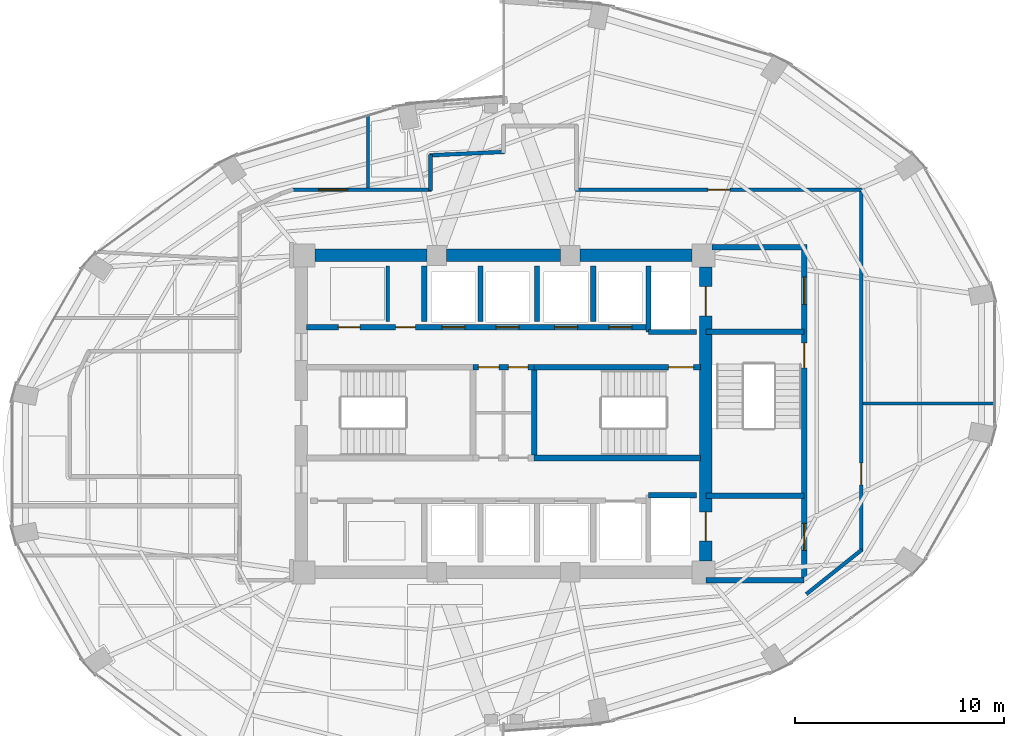
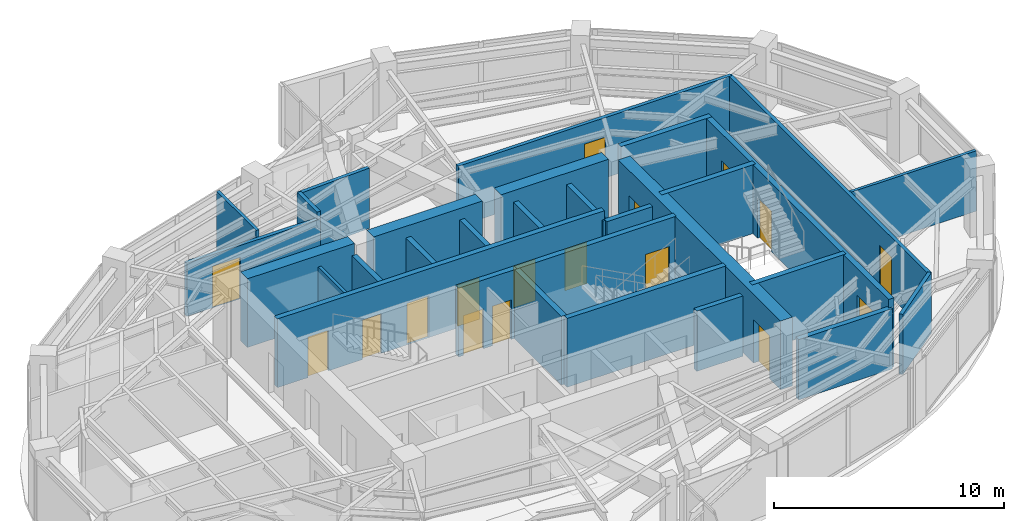
# One storey, part 17 of 20: 30 walls, 17 doors, 17 openings.
"""IFC4 building model written with IfcOpenShell, lengths in metres."""

from ifc_helpers import new_model, si_unit, direction, frame, frame_2d, origin, place, context, subcontext, project, spatial, rectangle, extrude, material, layer, layer_set, type_object, element, fill, save


model = new_model("IFC4")

# Units and contexts
model_context = context("Model", 3, precision=1e-05, world=origin(), true_north=direction((0.0, 1.0)))
body_context = subcontext(model_context, "Body", "Model", "MODEL_VIEW")
ifc_project = project(units=[si_unit("LENGTHUNIT", "METRE"), si_unit("AREAUNIT", "SQUARE_METRE"), si_unit("VOLUMEUNIT", "CUBIC_METRE"), si_unit("PLANEANGLEUNIT", "RADIAN"), si_unit("MASSUNIT", "GRAM", prefix="KILO")], contexts=[model_context])

# Site, building, storey
site_placement = place(None, origin())
site = spatial("IfcSite", under=ifc_project, at=site_placement, CompositionType="ELEMENT")
building_placement = place(site_placement, origin())
building = spatial("IfcBuilding", under=site, at=building_placement, Name="Lazwardi Medical Tower", CompositionType="ELEMENT")
storey_placement = place(building_placement, frame((0.0, 0.0, 185.7119140625)))
storey = spatial("IfcBuildingStorey", under=building, at=storey_placement, Name="L48", CompositionType="ELEMENT", Elevation=185.7119140625)

# Wall, opening, door
ifc_material_1 = material(Name="Fire-rated gypsum board on steel stud", Category="steel")
ifc_layer_1 = layer(ifc_material_1, 0.179931640625)
ifc_layer_set_1 = layer_set([ifc_layer_1], Name="Fire-rated gypsum board on steel stud")
wall_type_1 = type_object("IfcWallType", Name="WL-COR-180", PredefinedType="PARTITIONING", material=ifc_layer_set_1)
wall_1_placement = place(storey_placement, frame((25.842529296875, 38.75, 0.0), z_axis=(0.0, 0.0, 1.0), x_axis=(1.0, 0.0, 0.0)))
wall_1 = element("IfcWall", 1, at=wall_1_placement, inside=storey, type_object=wall_type_1, Name="L48 Corridor partition 6", PredefinedType="PARTITIONING", context=body_context, shape_type="SweptSolid", body=[
    extrude(rectangle(XDim=6.697509765625, YDim=0.179931640625, at=frame_2d((3.3486328125, 0.0))), origin(), (0.0, 0.0, 1.0), 2.822998046875),
])
opening_1_placement = place(wall_1_placement, frame((1.28759765625, 0.0, 0.0)))
opening_1 = element("IfcOpeningElement", 2, at=opening_1_placement, cuts=wall_1, Name="Opening D-L48-016", PredefinedType="OPENING", context=body_context, shape_type="SweptSolid", body=[
    extrude(rectangle(XDim=1.39990234375, YDim=2.199951171875, at=frame_2d((0.699951171875, 1.10009765625))), frame((0.0, 0.099853515625, 0.0), z_axis=(0.0, -1.0, 0.0), x_axis=(1.0, 0.0, 0.0)), (0.0, 0.0, 1.0), 0.199951171875),
])
ifc_material_2 = material(Name="Anti-microbial laminate hospital leaf")
door_type_1 = type_object("IfcDoorType", Name="DR-BED-1400", OperationType="NOTDEFINED", PredefinedType="DOOR", material=ifc_material_2)
door_1_placement = place(opening_1_placement, origin())
door_1 = element("IfcDoor", 3, at=door_1_placement, inside=storey, type_object=door_type_1, Name="L48 Rehabilitation Gymnasium Door 04", OperationType="SINGLE_SWING_RIGHT", OverallHeight=2.199951171875, OverallWidth=1.39990234375, PredefinedType="DOOR", context=body_context, shape_type="SweptSolid", body=[
    extrude(rectangle(XDim=1.39990234375, YDim=2.199951171875, at=frame_2d((0.699951171875, 1.10009765625))), frame((0.0, 0.02490234375, 0.0), z_axis=(0.0, -1.0, 0.0), x_axis=(1.0, 0.0, 0.0)), (0.0, 0.0, 1.0), 0.050048828125),
])
fill(opening_1, door_1)

# Walls
wall_2_placement = place(storey_placement, frame((32.5, 38.7099609375, 0.0), z_axis=(0.0, 0.0, 1.0), x_axis=(0.0, 1.0, 0.0)))
element("IfcWall", 4, at=wall_2_placement, inside=storey, type_object=wall_type_1, Name="L48 Corridor partition 7", PredefinedType="PARTITIONING", context=body_context, shape_type="SweptSolid", body=[
    extrude(rectangle(XDim=1.729248046875, YDim=0.179931640625, at=frame_2d((0.86474609375, 0.0))), origin(), (0.0, 0.0, 1.0), 3.197998046875),
])
wall_3_placement = place(storey_placement, frame((32.4599609375, 40.3974609375, 0.0), z_axis=(0.0, 0.0, 1.0), x_axis=(0.998948498694, 0.045846449783, 0.0)))
element("IfcWall", 5, at=wall_3_placement, inside=storey, type_object=wall_type_1, Name="L48 Corridor partition 8", PredefinedType="PARTITIONING", context=body_context, shape_type="SweptSolid", body=[
    extrude(rectangle(XDim=3.583740234375, YDim=0.179931640625, at=frame_2d((1.7919921875, 0.0))), origin(), (0.0, 0.0, 1.0), 3.197998046875),
])

# Wall, opening, door
wall_4_placement = place(storey_placement, frame((39.4599609375, 38.75, 0.0), z_axis=(0.0, 0.0, 1.0), x_axis=(1.0, 0.0, 0.0)))
wall_4 = element("IfcWall", 6, at=wall_4_placement, inside=storey, type_object=wall_type_1, Name="L48 Corridor partition 12", PredefinedType="PARTITIONING", context=body_context, shape_type="SweptSolid", body=[
    extrude(rectangle(XDim=13.72998046875, YDim=0.179931640625, at=frame_2d((6.864990234375, 0.0))), origin(), (0.0, 0.0, 1.0), 3.197998046875),
])
opening_2_placement = place(wall_4_placement, frame((6.340087890625, 0.0, 0.0)))
opening_2 = element("IfcOpeningElement", 7, at=opening_2_placement, cuts=wall_4, Name="Opening D-L48-015", PredefinedType="OPENING", context=body_context, shape_type="SweptSolid", body=[
    extrude(rectangle(XDim=1.050048828125, YDim=2.14990234375, at=frame_2d((0.52490234375, 1.074951171875))), frame((0.0, 0.099853515625, 0.0), z_axis=(0.0, -1.0, 0.0), x_axis=(1.0, 0.0, 0.0)), (0.0, 0.0, 1.0), 0.199951171875),
])
door_type_2 = type_object("IfcDoorType", Name="DR-CLN-1050", OperationType="NOTDEFINED", PredefinedType="DOOR", material=ifc_material_2)
door_2_placement = place(opening_2_placement, origin())
door_2 = element("IfcDoor", 8, at=door_2_placement, inside=storey, type_object=door_type_2, Name="L48 Outpatient Clinic Door 03", OperationType="SINGLE_SWING_LEFT", OverallHeight=2.14990234375, OverallWidth=1.050048828125, PredefinedType="DOOR", context=body_context, shape_type="SweptSolid", body=[
    extrude(rectangle(XDim=1.050048828125, YDim=2.14990234375, at=frame_2d((0.52490234375, 1.074951171875))), frame((0.0, 0.02490234375, 0.0), z_axis=(0.0, -1.0, 0.0), x_axis=(1.0, 0.0, 0.0)), (0.0, 0.0, 1.0), 0.050048828125),
])
fill(opening_2, door_2)

wall_5_placement = place(storey_placement, frame((53.14990234375, 38.7900390625, 0.0), z_axis=(0.0, 0.0, 1.0), x_axis=(0.0, -1.0, 0.0)))
wall_5 = element("IfcWall", 9, at=wall_5_placement, inside=storey, type_object=wall_type_1, Name="L48 Corridor partition 13", PredefinedType="PARTITIONING", context=body_context, shape_type="SweptSolid", body=[
    extrude(rectangle(XDim=17.374267578125, YDim=0.179931640625, at=frame_2d((8.68701171875, 0.0))), origin(), (0.0, 0.0, 1.0), 3.197998046875),
])
opening_3_placement = place(wall_5_placement, frame((13.148193359375, 0.0, 0.0)))
opening_3 = element("IfcOpeningElement", 10, at=opening_3_placement, cuts=wall_5, Name="Opening D-L48-014", PredefinedType="OPENING", context=body_context, shape_type="SweptSolid", body=[
    extrude(rectangle(XDim=1.050048828125, YDim=2.14990234375, at=frame_2d((0.52490234375, 1.074951171875))), frame((0.0, 0.099853515625, 0.0), z_axis=(0.0, -1.0, 0.0), x_axis=(1.0, 0.0, 0.0)), (0.0, 0.0, 1.0), 0.199951171875),
])
door_3_placement = place(opening_3_placement, origin())
door_3 = element("IfcDoor", 11, at=door_3_placement, inside=storey, type_object=door_type_2, Name="L48 Clinical Specialist Office Door 02", OperationType="SINGLE_SWING_RIGHT", OverallHeight=2.14990234375, OverallWidth=1.050048828125, PredefinedType="DOOR", context=body_context, shape_type="SweptSolid", body=[
    extrude(rectangle(XDim=1.050048828125, YDim=2.14990234375, at=frame_2d((0.52490234375, 1.074951171875))), frame((0.0, 0.02490234375, 0.0), z_axis=(0.0, -1.0, 0.0), x_axis=(1.0, 0.0, 0.0)), (0.0, 0.0, 1.0), 0.050048828125),
])
fill(opening_3, door_3)

# Wall
wall_6_placement = place(storey_placement, frame((53.181396484375, 21.480712890625, 0.0), z_axis=(0.0, 0.0, 1.0), x_axis=(-0.781420737726, -0.624004511724, 0.0)))
element("IfcWall", 12, at=wall_6_placement, inside=storey, type_object=wall_type_1, Name="L48 Corridor partition 14", PredefinedType="PARTITIONING", context=body_context, shape_type="SweptSolid", body=[
    extrude(rectangle(XDim=3.407470703125, YDim=0.179931640625, at=frame_2d((1.70361328125, 0.0))), origin(), (0.0, 0.0, 1.0), 3.197998046875),
])

# Wall, openings, doors
ifc_material_3 = material(Name="Concrete C60/75", Category="concrete")
ifc_layer_2 = layer(ifc_material_3, 0.60009765625)
ifc_layer_set_2 = layer_set([ifc_layer_2], Name="Concrete C60/75")
wall_type_2 = type_object("IfcWallType", Name="WL-CORE-600", PredefinedType="SHEAR", material=ifc_layer_set_2)
wall_7_placement = place(storey_placement, frame((45.699951171875, 20.949951171875, 0.0), z_axis=(0.0, 0.0, 1.0), x_axis=(0.0, 1.0, 0.0)))
wall_7 = element("IfcWall", 13, at=wall_7_placement, inside=storey, type_object=wall_type_2, Name="Core wall CW-S3 east L48", PredefinedType="SHEAR", context=body_context, shape_type="SweptSolid", body=[
    extrude(rectangle(XDim=14.10009765625, YDim=0.60009765625, at=frame_2d((7.050048828125, 0.0))), origin(), (0.0, 0.0, 1.0), 3.648193359375),
])
opening_4_placement = place(wall_7_placement, frame((11.75, 0.0, 0.0)))
opening_4 = element("IfcOpeningElement", 14, at=opening_4_placement, cuts=wall_7, Name="Opening LD-L48-001", PredefinedType="OPENING", context=body_context, shape_type="SweptSolid", body=[
    extrude(rectangle(XDim=1.39990234375, YDim=2.300048828125, at=frame_2d((0.699951171875, 1.14990234375))), frame((0.0, 0.31005859375, 0.0), z_axis=(0.0, -1.0, 0.0), x_axis=(1.0, 0.0, 0.0)), (0.0, 0.0, 1.0), 0.6201171875),
])
opening_5_placement = place(wall_7_placement, frame((0.949951171875, 0.0, 0.0)))
opening_5 = element("IfcOpeningElement", 15, at=opening_5_placement, cuts=wall_7, Name="Opening LD-L48-002", PredefinedType="OPENING", context=body_context, shape_type="SweptSolid", body=[
    extrude(rectangle(XDim=1.39990234375, YDim=2.300048828125, at=frame_2d((0.699951171875, 1.14990234375))), frame((0.0, 0.31005859375, 0.0), z_axis=(0.0, -1.0, 0.0), x_axis=(1.0, 0.0, 0.0)), (0.0, 0.0, 1.0), 0.6201171875),
])
ifc_material_4 = material(Name="Brushed stainless steel bed-lift landing door", Category="steel")
door_type_3 = type_object("IfcDoorType", Name="DR-LFT-1400", OperationType="NOTDEFINED", PredefinedType="DOOR", material=ifc_material_4)
door_4_placement = place(opening_4_placement, origin())
door_4 = element("IfcDoor", 16, at=door_4_placement, inside=storey, type_object=door_type_3, Name="L48 Lift Landing Door FL-01", OperationType="SLIDING_TO_LEFT", OverallHeight=2.300048828125, OverallWidth=1.39990234375, PredefinedType="DOOR", context=body_context, shape_type="SweptSolid", body=[
    extrude(rectangle(XDim=1.39990234375, YDim=2.300048828125, at=frame_2d((0.699951171875, 1.14990234375))), frame((0.0, 0.02490234375, 0.0), z_axis=(0.0, -1.0, 0.0), x_axis=(1.0, 0.0, 0.0)), (0.0, 0.0, 1.0), 0.050048828125),
])
fill(opening_4, door_4)
door_5_placement = place(opening_5_placement, origin())
door_5 = element("IfcDoor", 17, at=door_5_placement, inside=storey, type_object=door_type_3, Name="L48 Lift Landing Door FL-02", OperationType="SLIDING_TO_LEFT", OverallHeight=2.300048828125, OverallWidth=1.39990234375, PredefinedType="DOOR", context=body_context, shape_type="SweptSolid", body=[
    extrude(rectangle(XDim=1.39990234375, YDim=2.300048828125, at=frame_2d((0.699951171875, 1.14990234375))), frame((0.0, 0.02490234375, 0.0), z_axis=(0.0, -1.0, 0.0), x_axis=(1.0, 0.0, 0.0)), (0.0, 0.0, 1.0), 0.050048828125),
])
fill(opening_5, door_5)

# Walls
wall_8_placement = place(storey_placement, frame((26.949951171875, 35.60009765625, 0.0), z_axis=(0.0, 0.0, 1.0), x_axis=(1.0, 0.0, 0.0)))
element("IfcWall", 18, at=wall_8_placement, inside=storey, type_object=wall_type_2, Name="Core wall CW-S3 N1 L48", PredefinedType="SHEAR", context=body_context, shape_type="SweptSolid", body=[
    extrude(rectangle(XDim=5.375, YDim=0.60009765625, at=frame_2d((2.6875, 0.0))), origin(), (0.0, 0.0, 1.0), 3.648193359375),
])
wall_9_placement = place(storey_placement, frame((33.27490234375, 35.60009765625, 0.0), z_axis=(0.0, 0.0, 1.0), x_axis=(1.0, 0.0, 0.0)))
element("IfcWall", 19, at=wall_9_placement, inside=storey, type_object=wall_type_2, Name="Core wall CW-S3 N2 L48", PredefinedType="SHEAR", context=body_context, shape_type="SweptSolid", body=[
    extrude(rectangle(XDim=5.4501953125, YDim=0.60009765625, at=frame_2d((2.72509765625, 0.0))), origin(), (0.0, 0.0, 1.0), 3.648193359375),
])
wall_10_placement = place(storey_placement, frame((39.675048828125, 35.60009765625, 0.0), z_axis=(0.0, 0.0, 1.0), x_axis=(1.0, 0.0, 0.0)))
element("IfcWall", 20, at=wall_10_placement, inside=storey, type_object=wall_type_2, Name="Core wall CW-S3 N3 L48", PredefinedType="SHEAR", context=body_context, shape_type="SweptSolid", body=[
    extrude(rectangle(XDim=5.375, YDim=0.60009765625, at=frame_2d((2.6875, 0.0))), origin(), (0.0, 0.0, 1.0), 3.648193359375),
])
ifc_material_5 = material(Name="Autoclaved aerated concrete blockwork", Category="masonry")
ifc_layer_3 = layer(ifc_material_5, 0.25)
ifc_layer_set_3 = layer_set([ifc_layer_3], Name="Autoclaved aerated concrete blockwork")
wall_type_3 = type_object("IfcWallType", Name="WL-SHAFT-250", PredefinedType="SOLIDWALL", material=ifc_layer_set_3)
wall_11_placement = place(storey_placement, frame((42.949951171875, 31.919921875, 0.0), z_axis=(0.0, 0.0, 1.0), x_axis=(0.0, 1.0, 0.0)))
element("IfcWall", 21, at=wall_11_placement, inside=storey, type_object=wall_type_3, Name="L48 FL-01 West shaft wall", PredefinedType="SOLIDWALL", context=body_context, shape_type="SweptSolid", body=[
    extrude(rectangle(XDim=3.18017578125, YDim=0.25, at=frame_2d((1.590087890625, 0.0))), origin(), (0.0, 0.0, 1.0), 3.197998046875),
])
for number, where, z_axis, x_axis, name in (
    (22, (42.949951171875, 31.919921875, 0.0), (0.0, 0.0, 1.0), (1.0, 0.0, 0.0), "L48 FL-01 South shaft wall"),
    (23, (42.949951171875, 24.10009765625, 0.0), (0.0, 0.0, 1.0), (1.0, 0.0, 0.0), "L48 FL-02 North shaft wall"),
):
    element("IfcWall", number, at=place(storey_placement, frame(where, z_axis=z_axis, x_axis=x_axis)), inside=storey, type_object=wall_type_3, Name=name, PredefinedType="SOLIDWALL", context=body_context, shape_type="SweptSolid", body=[
        extrude(rectangle(XDim=2.300048828125, YDim=0.25, at=frame_2d((1.14990234375, 0.0))), origin(), (0.0, 0.0, 1.0), 3.197998046875),
    ])
for number, where, z_axis, x_axis, name in (
    (24, (32.199951171875, 32.419921875, 0.0), (0.0, 0.0, 1.0), (0.0, 1.0, 0.0), "L48 North hoistway divider"),
    (25, (34.89990234375, 32.419921875, 0.0), (0.0, 0.0, 1.0), (0.0, 1.0, 0.0), "L48 North hoistway divider"),
    (26, (37.60009765625, 32.419921875, 0.0), (0.0, 0.0, 1.0), (0.0, 1.0, 0.0), "L48 North hoistway divider"),
    (27, (40.300048828125, 32.419921875, 0.0), (0.0, 0.0, 1.0), (0.0, 1.0, 0.0), "L48 North hoistway divider"),
):
    element("IfcWall", number, at=place(storey_placement, frame(where, z_axis=z_axis, x_axis=x_axis)), inside=storey, type_object=wall_type_3, Name=name, PredefinedType="SOLIDWALL", context=body_context, shape_type="SweptSolid", body=[
        extrude(rectangle(XDim=2.68017578125, YDim=0.25, at=frame_2d((1.340087890625, 0.0))), origin(), (0.0, 0.0, 1.0), 3.197998046875),
    ])
wall_12_placement = place(storey_placement, frame((45.699951171875, 20.02001953125, 0.0), z_axis=(0.0, 0.0, 1.0), x_axis=(1.0, 0.0, 0.0)))
element("IfcWall", 28, at=wall_12_placement, inside=storey, type_object=wall_type_3, Name="L48 FFL-S South wall", PredefinedType="SOLIDWALL", context=body_context, shape_type="SweptSolid", body=[
    extrude(rectangle(XDim=4.715087890625, YDim=0.25, at=frame_2d((2.357421875, 0.0))), origin(), (0.0, 0.0, 1.0), 3.197998046875),
])

# Wall, openings, doors
ifc_material_6 = material(Name="Concrete C50/60", Category="concrete")
ifc_layer_4 = layer(ifc_material_6, 0.27001953125)
ifc_layer_set_4 = layer_set([ifc_layer_4], Name="Concrete C50/60")
wall_type_4 = type_object("IfcWallType", Name="WL-STR-250", PredefinedType="SHEAR", material=ifc_layer_set_4)
wall_13_placement = place(storey_placement, frame((34.534912109375, 30.235107421875, 0.0), z_axis=(0.0, 0.0, 1.0), x_axis=(1.0, 0.0, 0.0)))
wall_13 = element("IfcWall", 29, at=wall_13_placement, inside=storey, type_object=wall_type_4, Name="L48 Core service North shear wall SW-S1", PredefinedType="SHEAR", context=body_context, shape_type="SweptSolid", body=[
    extrude(rectangle(XDim=2.93017578125, YDim=0.27001953125, at=frame_2d((1.465087890625, 0.0))), origin(), (0.0, 0.0, 1.0), 3.648193359375),
])
opening_6_placement = place(wall_13_placement, frame((0.2548828125, 0.0, 0.0)))
opening_6 = element("IfcOpeningElement", 30, at=opening_6_placement, cuts=wall_13, Name="Opening D-L48-003", PredefinedType="OPENING", context=body_context, shape_type="SweptSolid", body=[
    extrude(rectangle(XDim=1.0, YDim=2.10009765625, at=frame_2d((0.5, 1.050048828125))), frame((0.0, 0.14501953125, 0.0), z_axis=(0.0, -1.0, 0.0), x_axis=(1.0, 0.0, 0.0)), (0.0, 0.0, 1.0), 0.2900390625),
])
opening_7_placement = place(wall_13_placement, frame((1.699951171875, 0.0, 0.0)))
opening_7 = element("IfcOpeningElement", 31, at=opening_7_placement, cuts=wall_13, Name="Opening D-L48-004", PredefinedType="OPENING", context=body_context, shape_type="SweptSolid", body=[
    extrude(rectangle(XDim=0.949951171875, YDim=2.10009765625, at=frame_2d((0.47509765625, 1.050048828125))), frame((0.0, 0.14501953125, 0.0), z_axis=(0.0, -1.0, 0.0), x_axis=(1.0, 0.0, 0.0)), (0.0, 0.0, 1.0), 0.2900390625),
])
ifc_material_7 = material(Name="Moisture-resistant laminate door leaf")
door_type_4 = type_object("IfcDoorType", Name="DR-AWC-1000", OperationType="NOTDEFINED", PredefinedType="DOOR", material=ifc_material_7)
door_6_placement = place(opening_6_placement, origin())
door_6 = element("IfcDoor", 32, at=door_6_placement, inside=storey, type_object=door_type_4, Name="L48 Accessible WC Door", OperationType="SINGLE_SWING_RIGHT", OverallHeight=2.10009765625, OverallWidth=1.0, PredefinedType="DOOR", context=body_context, shape_type="SweptSolid", body=[
    extrude(rectangle(XDim=1.0, YDim=2.10009765625, at=frame_2d((0.5, 1.050048828125))), frame((0.0, 0.02490234375, 0.0), z_axis=(0.0, -1.0, 0.0), x_axis=(1.0, 0.0, 0.0)), (0.0, 0.0, 1.0), 0.050048828125),
])
fill(opening_6, door_6)
door_type_5 = type_object("IfcDoorType", Name="DR-ENS-950", OperationType="NOTDEFINED", PredefinedType="DOOR", material=ifc_material_7)
door_7_placement = place(opening_7_placement, origin())
door_7 = element("IfcDoor", 33, at=door_7_placement, inside=storey, type_object=door_type_5, Name="L48 Clean Utility Door", OperationType="SINGLE_SWING_LEFT", OverallHeight=2.10009765625, OverallWidth=0.949951171875, PredefinedType="DOOR", context=body_context, shape_type="SweptSolid", body=[
    extrude(rectangle(XDim=0.949951171875, YDim=2.10009765625, at=frame_2d((0.47509765625, 1.050048828125))), frame((0.0, 0.02490234375, 0.0), z_axis=(0.0, -1.0, 0.0), x_axis=(1.0, 0.0, 0.0)), (0.0, 0.0, 1.0), 0.050048828125),
])
fill(opening_7, door_7)

# Wall, opening, door
wall_14_placement = place(storey_placement, frame((37.465087890625, 30.235107421875, 0.0), z_axis=(0.0, 0.0, 1.0), x_axis=(1.0, 0.0, 0.0)))
wall_14 = element("IfcWall", 34, at=wall_14_placement, inside=storey, type_object=wall_type_4, Name="L48 ST2 North shear shaft wall SW-S1", PredefinedType="SHEAR", context=body_context, shape_type="SweptSolid", body=[
    extrude(rectangle(XDim=7.98486328125, YDim=0.27001953125, at=frame_2d((3.992431640625, 0.0))), origin(), (0.0, 0.0, 1.0), 3.648193359375),
])
opening_8_placement = place(wall_14_placement, frame((6.455078125, 0.0, 0.0)))
opening_8 = element("IfcOpeningElement", 35, at=opening_8_placement, cuts=wall_14, Name="Opening D-L48-020", PredefinedType="OPENING", context=body_context, shape_type="SweptSolid", body=[
    extrude(rectangle(XDim=1.199951171875, YDim=2.14990234375, at=frame_2d((0.60009765625, 1.074951171875))), frame((0.0, 0.14501953125, 0.0), z_axis=(0.0, -1.0, 0.0), x_axis=(1.0, 0.0, 0.0)), (0.0, 0.0, 1.0), 0.2900390625),
])
ifc_material_8 = material(Name="Fire-rated steel leaf and frame", Category="steel")
door_type_6 = type_object("IfcDoorType", Name="DR-STR-1200", OperationType="NOTDEFINED", PredefinedType="DOOR", material=ifc_material_8)
door_8_placement = place(opening_8_placement, origin())
door_8 = element("IfcDoor", 36, at=door_8_placement, inside=storey, type_object=door_type_6, Name="L48 Exit Stair ST2 Door", OperationType="SINGLE_SWING_LEFT", OverallHeight=2.14990234375, OverallWidth=1.199951171875, PredefinedType="DOOR", context=body_context, shape_type="SweptSolid", body=[
    extrude(rectangle(XDim=1.199951171875, YDim=2.14990234375, at=frame_2d((0.60009765625, 1.074951171875))), frame((0.0, 0.02490234375, 0.0), z_axis=(0.0, -1.0, 0.0), x_axis=(1.0, 0.0, 0.0)), (0.0, 0.0, 1.0), 0.050048828125),
])
fill(opening_8, door_8)

# Walls
wall_15_placement = place(storey_placement, frame((37.465087890625, 25.885009765625, 0.0), z_axis=(0.0, 0.0, 1.0), x_axis=(1.0, 0.0, 0.0)))
element("IfcWall", 37, at=wall_15_placement, inside=storey, type_object=wall_type_4, Name="L48 ST2 South shear shaft wall SW-S1", PredefinedType="SHEAR", context=body_context, shape_type="SweptSolid", body=[
    extrude(rectangle(XDim=7.98486328125, YDim=0.27001953125, at=frame_2d((3.992431640625, 0.0))), origin(), (0.0, 0.0, 1.0), 3.648193359375),
])
wall_16_placement = place(storey_placement, frame((37.465087890625, 26.02001953125, 0.0), z_axis=(0.0, 0.0, 1.0), x_axis=(0.0, 1.0, 0.0)))
element("IfcWall", 38, at=wall_16_placement, inside=storey, type_object=wall_type_4, Name="L48 ST2 West shear shaft wall SW-S1", PredefinedType="SHEAR", context=body_context, shape_type="SweptSolid", body=[
    extrude(rectangle(XDim=4.080078125, YDim=0.27001953125, at=frame_2d((2.0400390625, 0.0))), origin(), (0.0, 0.0, 1.0), 3.648193359375),
])

# Wall, openings, doors
wall_17_placement = place(storey_placement, frame((26.550048828125, 32.14990234375, 0.0), z_axis=(0.0, 0.0, 1.0), x_axis=(1.0, 0.0, 0.0)))
wall_17 = element("IfcWall", 39, at=wall_17_placement, inside=storey, type_object=wall_type_4, Name="L48 North lift bank shear wall SW-S1", PredefinedType="SHEAR", context=body_context, shape_type="SweptSolid", body=[
    extrude(rectangle(XDim=16.39990234375, YDim=0.27001953125, at=frame_2d((8.199951171875, 0.0))), origin(), (0.0, 0.0, 1.0), 3.648193359375),
])
opening_9_placement = place(wall_17_placement, frame((1.52490234375, 0.0, 0.0)))
opening_9 = element("IfcOpeningElement", 40, at=opening_9_placement, cuts=wall_17, Name="Opening D-L48-005", PredefinedType="OPENING", context=body_context, shape_type="SweptSolid", body=[
    extrude(rectangle(XDim=1.050048828125, YDim=2.14990234375, at=frame_2d((0.52490234375, 1.074951171875))), frame((0.0, 0.14501953125, 0.0), z_axis=(0.0, -1.0, 0.0), x_axis=(1.0, 0.0, 0.0)), (0.0, 0.0, 1.0), 0.2900390625),
])
opening_10_placement = place(wall_17_placement, frame((4.27490234375, 0.0, 0.0)))
opening_10 = element("IfcOpeningElement", 41, at=opening_10_placement, cuts=wall_17, Name="Opening D-L48-006", PredefinedType="OPENING", context=body_context, shape_type="SweptSolid", body=[
    extrude(rectangle(XDim=0.949951171875, YDim=2.10009765625, at=frame_2d((0.47509765625, 1.050048828125))), frame((0.0, 0.14501953125, 0.0), z_axis=(0.0, -1.0, 0.0), x_axis=(1.0, 0.0, 0.0)), (0.0, 0.0, 1.0), 0.2900390625),
])
opening_11_placement = place(wall_17_placement, frame((6.5, 0.0, 0.0)))
opening_11 = element("IfcOpeningElement", 42, at=opening_11_placement, cuts=wall_17, Name="Opening LD-L48-004", PredefinedType="OPENING", context=body_context, shape_type="SweptSolid", body=[
    extrude(rectangle(XDim=1.10009765625, YDim=2.199951171875, at=frame_2d((0.550048828125, 1.10009765625))), frame((0.0, 0.14501953125, 0.0), z_axis=(0.0, -1.0, 0.0), x_axis=(1.0, 0.0, 0.0)), (0.0, 0.0, 1.0), 0.2900390625),
])
opening_12_placement = place(wall_17_placement, frame((9.10009765625, 0.0, 0.0)))
opening_12 = element("IfcOpeningElement", 43, at=opening_12_placement, cuts=wall_17, Name="Opening LD-L48-005", PredefinedType="OPENING", context=body_context, shape_type="SweptSolid", body=[
    extrude(rectangle(XDim=1.10009765625, YDim=2.199951171875, at=frame_2d((0.550048828125, 1.10009765625))), frame((0.0, 0.14501953125, 0.0), z_axis=(0.0, -1.0, 0.0), x_axis=(1.0, 0.0, 0.0)), (0.0, 0.0, 1.0), 0.2900390625),
])
opening_13_placement = place(wall_17_placement, frame((11.89990234375, 0.0, 0.0)))
opening_13 = element("IfcOpeningElement", 44, at=opening_13_placement, cuts=wall_17, Name="Opening LD-L48-008", PredefinedType="OPENING", context=body_context, shape_type="SweptSolid", body=[
    extrude(rectangle(XDim=1.10009765625, YDim=2.199951171875, at=frame_2d((0.550048828125, 1.10009765625))), frame((0.0, 0.14501953125, 0.0), z_axis=(0.0, -1.0, 0.0), x_axis=(1.0, 0.0, 0.0)), (0.0, 0.0, 1.0), 0.2900390625),
])
opening_14_placement = place(wall_17_placement, frame((14.5, 0.0, 0.0)))
opening_14 = element("IfcOpeningElement", 45, at=opening_14_placement, cuts=wall_17, Name="Opening LD-L48-009", PredefinedType="OPENING", context=body_context, shape_type="SweptSolid", body=[
    extrude(rectangle(XDim=1.10009765625, YDim=2.199951171875, at=frame_2d((0.550048828125, 1.10009765625))), frame((0.0, 0.14501953125, 0.0), z_axis=(0.0, -1.0, 0.0), x_axis=(1.0, 0.0, 0.0)), (0.0, 0.0, 1.0), 0.2900390625),
])
door_9_placement = place(opening_9_placement, origin())
door_9 = element("IfcDoor", 46, at=door_9_placement, inside=storey, type_object=door_type_2, Name="L48 Telemedicine Door", OperationType="SINGLE_SWING_RIGHT", OverallHeight=2.14990234375, OverallWidth=1.050048828125, PredefinedType="DOOR", context=body_context, shape_type="SweptSolid", body=[
    extrude(rectangle(XDim=1.050048828125, YDim=2.14990234375, at=frame_2d((0.52490234375, 1.074951171875))), frame((0.0, 0.02490234375, 0.0), z_axis=(0.0, -1.0, 0.0), x_axis=(1.0, 0.0, 0.0)), (0.0, 0.0, 1.0), 0.050048828125),
])
fill(opening_9, door_9)
door_10_placement = place(opening_10_placement, origin())
door_10 = element("IfcDoor", 47, at=door_10_placement, inside=storey, type_object=door_type_5, Name="L48 Staff WC Door", OperationType="SINGLE_SWING_LEFT", OverallHeight=2.10009765625, OverallWidth=0.949951171875, PredefinedType="DOOR", context=body_context, shape_type="SweptSolid", body=[
    extrude(rectangle(XDim=0.949951171875, YDim=2.10009765625, at=frame_2d((0.47509765625, 1.050048828125))), frame((0.0, 0.02490234375, 0.0), z_axis=(0.0, -1.0, 0.0), x_axis=(1.0, 0.0, 0.0)), (0.0, 0.0, 1.0), 0.050048828125),
])
fill(opening_10, door_10)
ifc_material_9 = material(Name="Brushed bronze stainless steel landing door", Category="steel")
door_type_7 = type_object("IfcDoorType", Name="DR-LFT-1100", OperationType="NOTDEFINED", PredefinedType="DOOR", material=ifc_material_9)
door_11_placement = place(opening_11_placement, origin())
door_11 = element("IfcDoor", 48, at=door_11_placement, inside=storey, type_object=door_type_7, Name="L48 Lift Landing Door PL-05", OperationType="SLIDING_TO_LEFT", OverallHeight=2.199951171875, OverallWidth=1.10009765625, PredefinedType="DOOR", context=body_context, shape_type="SweptSolid", body=[
    extrude(rectangle(XDim=1.10009765625, YDim=2.199951171875, at=frame_2d((0.550048828125, 1.10009765625))), frame((0.0, 0.02490234375, 0.0), z_axis=(0.0, -1.0, 0.0), x_axis=(1.0, 0.0, 0.0)), (0.0, 0.0, 1.0), 0.050048828125),
])
fill(opening_11, door_11)
door_12_placement = place(opening_12_placement, origin())
door_12 = element("IfcDoor", 49, at=door_12_placement, inside=storey, type_object=door_type_7, Name="L48 Lift Landing Door PL-06", OperationType="SLIDING_TO_LEFT", OverallHeight=2.199951171875, OverallWidth=1.10009765625, PredefinedType="DOOR", context=body_context, shape_type="SweptSolid", body=[
    extrude(rectangle(XDim=1.10009765625, YDim=2.199951171875, at=frame_2d((0.550048828125, 1.10009765625))), frame((0.0, 0.02490234375, 0.0), z_axis=(0.0, -1.0, 0.0), x_axis=(1.0, 0.0, 0.0)), (0.0, 0.0, 1.0), 0.050048828125),
])
fill(opening_12, door_12)
door_13_placement = place(opening_13_placement, origin())
door_13 = element("IfcDoor", 50, at=door_13_placement, inside=storey, type_object=door_type_7, Name="L48 Lift Landing Door PL-09", OperationType="SLIDING_TO_LEFT", OverallHeight=2.199951171875, OverallWidth=1.10009765625, PredefinedType="DOOR", context=body_context, shape_type="SweptSolid", body=[
    extrude(rectangle(XDim=1.10009765625, YDim=2.199951171875, at=frame_2d((0.550048828125, 1.10009765625))), frame((0.0, 0.02490234375, 0.0), z_axis=(0.0, -1.0, 0.0), x_axis=(1.0, 0.0, 0.0)), (0.0, 0.0, 1.0), 0.050048828125),
])
fill(opening_13, door_13)
door_14_placement = place(opening_14_placement, origin())
door_14 = element("IfcDoor", 51, at=door_14_placement, inside=storey, type_object=door_type_7, Name="L48 Lift Landing Door PL-10", OperationType="SLIDING_TO_LEFT", OverallHeight=2.199951171875, OverallWidth=1.10009765625, PredefinedType="DOOR", context=body_context, shape_type="SweptSolid", body=[
    extrude(rectangle(XDim=1.10009765625, YDim=2.199951171875, at=frame_2d((0.550048828125, 1.10009765625))), frame((0.0, 0.02490234375, 0.0), z_axis=(0.0, -1.0, 0.0), x_axis=(1.0, 0.0, 0.0)), (0.0, 0.0, 1.0), 0.050048828125),
])
fill(opening_14, door_14)

wall_18_placement = place(storey_placement, frame((50.4150390625, 35.844970703125, 0.0), z_axis=(0.0, 0.0, 1.0), x_axis=(0.0, -1.0, 0.0)))
wall_18 = element("IfcWall", 52, at=wall_18_placement, inside=storey, type_object=wall_type_4, Name="L48 East ST3 & FFL shear wall SW-S1", PredefinedType="SHEAR", context=body_context, shape_type="SweptSolid", body=[
    extrude(rectangle(XDim=15.824951171875, YDim=0.27001953125, at=frame_2d((7.91259765625, 0.0))), origin(), (0.0, 0.0, 1.0), 3.648193359375),
])
opening_15_placement = place(wall_18_placement, frame((4.445068359375, 0.0, 0.0)))
opening_15 = element("IfcOpeningElement", 53, at=opening_15_placement, cuts=wall_18, Name="Opening D-L48-021", PredefinedType="OPENING", context=body_context, shape_type="SweptSolid", body=[
    extrude(rectangle(XDim=1.199951171875, YDim=2.14990234375, at=frame_2d((0.60009765625, 1.074951171875))), frame((0.0, 0.14501953125, 0.0), z_axis=(0.0, -1.0, 0.0), x_axis=(1.0, 0.0, 0.0)), (0.0, 0.0, 1.0), 0.2900390625),
])
opening_16_placement = place(wall_18_placement, frame((1.294921875, 0.0, 0.0)))
opening_16 = element("IfcOpeningElement", 54, at=opening_16_placement, cuts=wall_18, Name="Opening D-L48-009", PredefinedType="OPENING", context=body_context, shape_type="SweptSolid", body=[
    extrude(rectangle(XDim=1.300048828125, YDim=2.199951171875, at=frame_2d((0.64990234375, 1.10009765625))), frame((0.0, 0.14501953125, 0.0), z_axis=(0.0, -1.0, 0.0), x_axis=(1.0, 0.0, 0.0)), (0.0, 0.0, 1.0), 0.2900390625),
])
opening_17_placement = place(wall_18_placement, frame((13.094970703125, 0.0, 0.0)))
opening_17 = element("IfcOpeningElement", 55, at=opening_17_placement, cuts=wall_18, Name="Opening D-L48-010", PredefinedType="OPENING", context=body_context, shape_type="SweptSolid", body=[
    extrude(rectangle(XDim=1.300048828125, YDim=2.199951171875, at=frame_2d((0.64990234375, 1.10009765625))), frame((0.0, 0.14501953125, 0.0), z_axis=(0.0, -1.0, 0.0), x_axis=(1.0, 0.0, 0.0)), (0.0, 0.0, 1.0), 0.2900390625),
])
door_type_8 = type_object("IfcDoorType", Name="DR-FFL-1300", OperationType="NOTDEFINED", PredefinedType="DOOR", material=ifc_material_8)
door_15_placement = place(opening_16_placement, origin())
door_15 = element("IfcDoor", 56, at=door_15_placement, inside=storey, type_object=door_type_8, Name="L48 Fire-Fighting Lobby North Door", OperationType="SINGLE_SWING_LEFT", OverallHeight=2.199951171875, OverallWidth=1.300048828125, PredefinedType="DOOR", context=body_context, shape_type="SweptSolid", body=[
    extrude(rectangle(XDim=1.300048828125, YDim=2.199951171875, at=frame_2d((0.64990234375, 1.10009765625))), frame((0.0, 0.02490234375, 0.0), z_axis=(0.0, -1.0, 0.0), x_axis=(1.0, 0.0, 0.0)), (0.0, 0.0, 1.0), 0.050048828125),
])
fill(opening_16, door_15)
door_16_placement = place(opening_17_placement, origin())
door_16 = element("IfcDoor", 57, at=door_16_placement, inside=storey, type_object=door_type_8, Name="L48 Fire-Fighting Lobby South Door", OperationType="SINGLE_SWING_RIGHT", OverallHeight=2.199951171875, OverallWidth=1.300048828125, PredefinedType="DOOR", context=body_context, shape_type="SweptSolid", body=[
    extrude(rectangle(XDim=1.300048828125, YDim=2.199951171875, at=frame_2d((0.64990234375, 1.10009765625))), frame((0.0, 0.02490234375, 0.0), z_axis=(0.0, -1.0, 0.0), x_axis=(1.0, 0.0, 0.0)), (0.0, 0.0, 1.0), 0.050048828125),
])
fill(opening_17, door_16)
door_17_placement = place(opening_15_placement, origin())
door_17 = element("IfcDoor", 58, at=door_17_placement, inside=storey, type_object=door_type_6, Name="L48 Exit Stair ST3 Door", OperationType="SINGLE_SWING_RIGHT", OverallHeight=2.14990234375, OverallWidth=1.199951171875, PredefinedType="DOOR", context=body_context, shape_type="SweptSolid", body=[
    extrude(rectangle(XDim=1.199951171875, YDim=2.14990234375, at=frame_2d((0.60009765625, 1.074951171875))), frame((0.0, 0.02490234375, 0.0), z_axis=(0.0, -1.0, 0.0), x_axis=(1.0, 0.0, 0.0)), (0.0, 0.0, 1.0), 0.050048828125),
])
fill(opening_15, door_17)

# Walls
wall_19_placement = place(storey_placement, frame((46.0, 35.97998046875, 0.0), z_axis=(0.0, 0.0, 1.0), x_axis=(1.0, 0.0, 0.0)))
element("IfcWall", 59, at=wall_19_placement, inside=storey, type_object=wall_type_4, Name="L48 FFL-N North shear wall SW-S1", PredefinedType="SHEAR", context=body_context, shape_type="SweptSolid", body=[
    extrude(rectangle(XDim=4.550048828125, YDim=0.27001953125, at=frame_2d((2.27490234375, 0.0))), origin(), (0.0, 0.0, 1.0), 3.648193359375),
])
for number, where, z_axis, x_axis, name in (
    (60, (45.699951171875, 31.93505859375, 0.0), (0.0, 0.0, 1.0), (1.0, 0.0, 0.0), "L48 ST3 North shear shaft wall SW-S1"),
    (61, (45.699951171875, 24.06494140625, 0.0), (0.0, 0.0, 1.0), (1.0, 0.0, 0.0), "L48 ST3 South shear shaft wall SW-S1"),
):
    element("IfcWall", number, at=place(storey_placement, frame(where, z_axis=z_axis, x_axis=x_axis)), inside=storey, type_object=wall_type_4, Name=name, PredefinedType="SHEAR", context=body_context, shape_type="SweptSolid", body=[
        extrude(rectangle(XDim=4.715087890625, YDim=0.27001953125, at=frame_2d((2.357421875, 0.0))), origin(), (0.0, 0.0, 1.0), 3.648193359375),
    ])
ifc_material_10 = material(Name="Acoustic gypsum board partition")
ifc_layer_5 = layer(ifc_material_10, 0.14990234375)
ifc_layer_set_5 = layer_set([ifc_layer_5], Name="Acoustic gypsum board partition")
wall_type_5 = type_object("IfcWallType", Name="WL-WRD-150", PredefinedType="PARTITIONING", material=ifc_layer_set_5)
wall_20_placement = place(storey_placement, frame((30.449951171875, 32.419921875, 0.0), z_axis=(0.0, 0.0, 1.0), x_axis=(0.0, 1.0, 0.0)))
element("IfcWall", 62, at=wall_20_placement, inside=storey, type_object=wall_type_5, Name="L48 Freed bay N split 2", PredefinedType="PARTITIONING", context=body_context, shape_type="SweptSolid", body=[
    extrude(rectangle(XDim=2.68017578125, YDim=0.14990234375, at=frame_2d((1.340087890625, 0.0))), origin(), (0.0, 0.0, 1.0), 3.197998046875),
])
wall_21_placement = place(storey_placement, frame((53.239990234375, 28.5, 0.0), z_axis=(0.0, 0.0, 1.0), x_axis=(1.0, 0.0, 0.0)))
element("IfcWall", 63, at=wall_21_placement, inside=storey, type_object=wall_type_5, Name="L48 Room partition 5", PredefinedType="PARTITIONING", context=body_context, shape_type="SweptSolid", body=[
    extrude(rectangle(XDim=6.30712890625, YDim=0.14990234375, at=frame_2d((3.153564453125, 0.0))), origin(), (0.0, 0.0, 1.0), 3.197998046875),
])
wall_22_placement = place(storey_placement, frame((29.5, 38.840087890625, 0.0), z_axis=(0.0, 0.0, 1.0), x_axis=(0.0, 1.0, 0.0)))
element("IfcWall", 64, at=wall_22_placement, inside=storey, type_object=wall_type_5, Name="L48 Room partition 6", PredefinedType="PARTITIONING", context=body_context, shape_type="SweptSolid", body=[
    extrude(rectangle(XDim=3.44580078125, YDim=0.14990234375, at=frame_2d((1.722900390625, 0.0))), origin(), (0.0, 0.0, 1.0), 3.197998046875),
])

save(model, "model.ifc")
